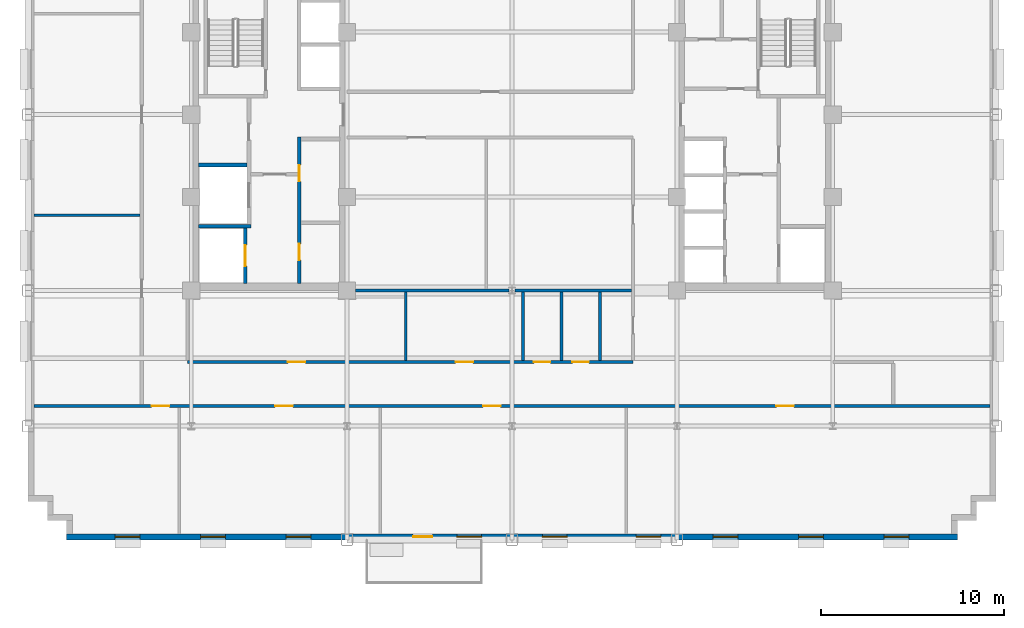
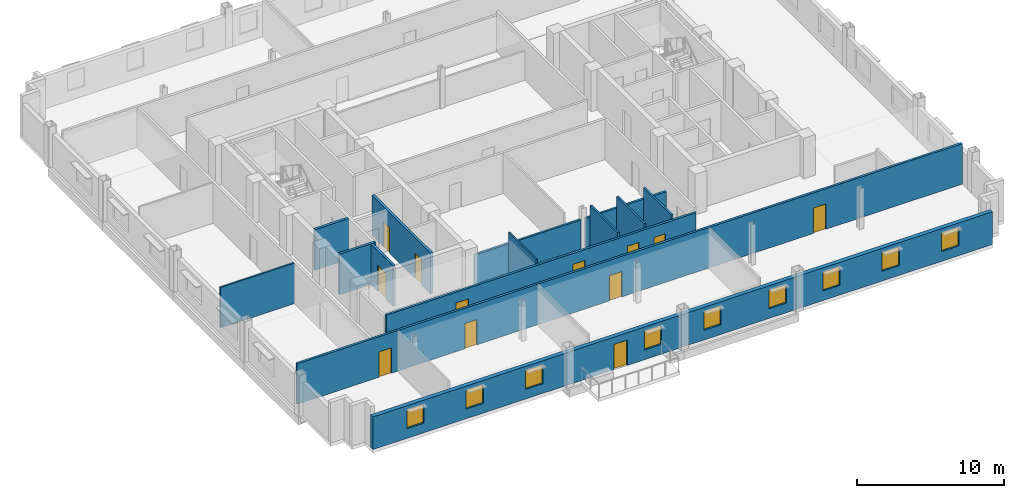
# One storey, part 6 of 13: 14 walls, 12 doors, 9 windows, 21 openings.
"""IFC4 building model written with IfcOpenShell, lengths in metres."""

from ifc_helpers import new_model, si_unit, direction, frame, frame_2d, origin, place, context, subcontext, project, spatial, rectangle, extrude, source, transform, mapped, material, layer, layer_set, type_object, type_shapes, element, fill, save


model = new_model("IFC4")

# Units and contexts
model_context = context("Model", 3, precision=1e-05, world=origin(), true_north=direction((0.0, 1.0)))
body_context = subcontext(model_context, "Body", "Model", "MODEL_VIEW")
ifc_project = project(units=[si_unit("LENGTHUNIT", "METRE"), si_unit("AREAUNIT", "SQUARE_METRE"), si_unit("VOLUMEUNIT", "CUBIC_METRE"), si_unit("PLANEANGLEUNIT", "RADIAN"), si_unit("MASSUNIT", "GRAM", prefix="KILO")], contexts=[model_context])

# Site, building, storey
site_placement = place(None, origin())
site = spatial("IfcSite", under=ifc_project, at=site_placement, CompositionType="ELEMENT")
building_placement = place(site_placement, origin())
building = spatial("IfcBuilding", under=site, at=building_placement, Name="Nuvemarco Arch Tower", CompositionType="ELEMENT")
storey_placement = place(building_placement, frame((0.0, 0.0, 149.39990234375)))
storey = spatial("IfcBuildingStorey", under=building, at=storey_placement, Name="L39", CompositionType="ELEMENT", Elevation=149.39990234375)

# Wall, openings, door, windows
ifc_material_1 = material(Name="Precast concrete C45/55", Category="concrete")
ifc_layer_1 = layer(ifc_material_1, 0.320068359375, Name="EW-MID-320")
ifc_layer_set_1 = layer_set([ifc_layer_1], Name="Precast concrete C45/55")
wall_type_1 = type_object("IfcWallType", Name="EW-MID-320", PredefinedType="STANDARD", material=ifc_layer_set_1)
wall_1_placement = place(storey_placement, frame((-24.300048828125, -23.0400390625, 0.0), z_axis=(0.0, 0.0, 1.0), x_axis=(1.0, 0.0, 0.0)))
wall_1 = element("IfcWall", 1, at=wall_1_placement, inside=storey, type_object=wall_type_1, Name="L39 exterior precast facade wall 1", PredefinedType="STANDARD", context=body_context, shape_type="SweptSolid", body=[
    extrude(rectangle(XDim=48.60009765625, YDim=0.320068359375, at=frame_2d((24.300048828125, 0.0))), origin(), (0.0, 0.0, 1.0), 2.705078125),
])
opening_1_placement = place(wall_1_placement, frame((19.949951171875, 0.0, 0.0), z_axis=(0.0, 0.0, 1.0), x_axis=(-1.0, 0.0, 0.0)))
opening_1 = element("IfcOpeningElement", 2, at=opening_1_placement, cuts=wall_1, Name="Opening ED-5", PredefinedType="OPENING", context=body_context, shape_type="SweptSolid", body=[
    extrude(rectangle(XDim=1.050048828125, YDim=2.10009765625, at=frame_2d((0.52490234375, 1.050048828125))), frame((0.0, 0.169921875, 0.0), z_axis=(0.0, -1.0, 0.0), x_axis=(1.0, 0.0, 0.0)), (0.0, 0.0, 1.0), 0.340087890625),
])
opening_2_placement = place(wall_1_placement, frame((2.655029296875, 0.0, 0.800048828125)))
opening_2 = element("IfcOpeningElement", 3, at=opening_2_placement, cuts=wall_1, Name="Opening WN-6", PredefinedType="OPENING", context=body_context, shape_type="SweptSolid", body=[
    extrude(rectangle(XDim=1.35009765625, YDim=1.56005859375, at=frame_2d((0.675048828125, 0.780029296875))), frame((0.0, 0.169921875, 0.0), z_axis=(0.0, -1.0, 0.0), x_axis=(1.0, 0.0, 0.0)), (0.0, 0.0, 1.0), 0.340087890625),
])
opening_3_placement = place(wall_1_placement, frame((7.31494140625, 0.0, 0.800048828125)))
opening_3 = element("IfcOpeningElement", 4, at=opening_3_placement, cuts=wall_1, Name="Opening WN-6", PredefinedType="OPENING", context=body_context, shape_type="SweptSolid", body=[
    extrude(rectangle(XDim=1.35009765625, YDim=1.56005859375, at=frame_2d((0.675048828125, 0.780029296875))), frame((0.0, 0.169921875, 0.0), z_axis=(0.0, -1.0, 0.0), x_axis=(1.0, 0.0, 0.0)), (0.0, 0.0, 1.0), 0.340087890625),
])
opening_4_placement = place(wall_1_placement, frame((11.97509765625, 0.0, 0.800048828125)))
opening_4 = element("IfcOpeningElement", 5, at=opening_4_placement, cuts=wall_1, Name="Opening WN-6", PredefinedType="OPENING", context=body_context, shape_type="SweptSolid", body=[
    extrude(rectangle(XDim=1.35009765625, YDim=1.56005859375, at=frame_2d((0.675048828125, 0.780029296875))), frame((0.0, 0.169921875, 0.0), z_axis=(0.0, -1.0, 0.0), x_axis=(1.0, 0.0, 0.0)), (0.0, 0.0, 1.0), 0.340087890625),
])
opening_5_placement = place(wall_1_placement, frame((21.294921875, 0.0, 0.800048828125)))
opening_5 = element("IfcOpeningElement", 6, at=opening_5_placement, cuts=wall_1, Name="Opening WN-6", PredefinedType="OPENING", context=body_context, shape_type="SweptSolid", body=[
    extrude(rectangle(XDim=1.35009765625, YDim=1.56005859375, at=frame_2d((0.675048828125, 0.780029296875))), frame((0.0, 0.169921875, 0.0), z_axis=(0.0, -1.0, 0.0), x_axis=(1.0, 0.0, 0.0)), (0.0, 0.0, 1.0), 0.340087890625),
])
opening_6_placement = place(wall_1_placement, frame((25.955078125, 0.0, 0.800048828125)))
opening_6 = element("IfcOpeningElement", 7, at=opening_6_placement, cuts=wall_1, Name="Opening WN-6", PredefinedType="OPENING", context=body_context, shape_type="SweptSolid", body=[
    extrude(rectangle(XDim=1.35009765625, YDim=1.56005859375, at=frame_2d((0.675048828125, 0.780029296875))), frame((0.0, 0.169921875, 0.0), z_axis=(0.0, -1.0, 0.0), x_axis=(1.0, 0.0, 0.0)), (0.0, 0.0, 1.0), 0.340087890625),
])
opening_7_placement = place(wall_1_placement, frame((31.06494140625, 0.0, 0.800048828125)))
opening_7 = element("IfcOpeningElement", 8, at=opening_7_placement, cuts=wall_1, Name="Opening WN-6", PredefinedType="OPENING", context=body_context, shape_type="SweptSolid", body=[
    extrude(rectangle(XDim=1.35009765625, YDim=1.56005859375, at=frame_2d((0.675048828125, 0.780029296875))), frame((0.0, 0.169921875, 0.0), z_axis=(0.0, -1.0, 0.0), x_axis=(1.0, 0.0, 0.0)), (0.0, 0.0, 1.0), 0.340087890625),
])
opening_8_placement = place(wall_1_placement, frame((35.27490234375, 0.0, 0.800048828125)))
opening_8 = element("IfcOpeningElement", 9, at=opening_8_placement, cuts=wall_1, Name="Opening WN-6", PredefinedType="OPENING", context=body_context, shape_type="SweptSolid", body=[
    extrude(rectangle(XDim=1.35009765625, YDim=1.56005859375, at=frame_2d((0.675048828125, 0.780029296875))), frame((0.0, 0.169921875, 0.0), z_axis=(0.0, -1.0, 0.0), x_axis=(1.0, 0.0, 0.0)), (0.0, 0.0, 1.0), 0.340087890625),
])
opening_9_placement = place(wall_1_placement, frame((39.93505859375, 0.0, 0.800048828125)))
opening_9 = element("IfcOpeningElement", 10, at=opening_9_placement, cuts=wall_1, Name="Opening WN-6", PredefinedType="OPENING", context=body_context, shape_type="SweptSolid", body=[
    extrude(rectangle(XDim=1.35009765625, YDim=1.56005859375, at=frame_2d((0.675048828125, 0.780029296875))), frame((0.0, 0.169921875, 0.0), z_axis=(0.0, -1.0, 0.0), x_axis=(1.0, 0.0, 0.0)), (0.0, 0.0, 1.0), 0.340087890625),
])
opening_10_placement = place(wall_1_placement, frame((44.594970703125, 0.0, 0.800048828125)))
opening_10 = element("IfcOpeningElement", 11, at=opening_10_placement, cuts=wall_1, Name="Opening WN-6", PredefinedType="OPENING", context=body_context, shape_type="SweptSolid", body=[
    extrude(rectangle(XDim=1.35009765625, YDim=1.56005859375, at=frame_2d((0.675048828125, 0.780029296875))), frame((0.0, 0.169921875, 0.0), z_axis=(0.0, -1.0, 0.0), x_axis=(1.0, 0.0, 0.0)), (0.0, 0.0, 1.0), 0.340087890625),
])
ifc_material_2 = material(Name="Anodised bronze and laminated glass", Category="glass")
door_type_1 = type_object("IfcDoorType", Name="DR-EXT-TERR", OperationType="NOTDEFINED", PredefinedType="DOOR", material=ifc_material_2)
shared_shape_1 = source(origin(), body_context, "Body", "SweptSolid", [
    extrude(rectangle(XDim=1.050048828125, YDim=2.10009765625, at=frame_2d((0.52490234375, 1.050048828125))), frame((0.0, 0.02490234375, 0.0), z_axis=(0.0, -1.0, 0.0), x_axis=(1.0, 0.0, 0.0)), (0.0, 0.0, 1.0), 0.050048828125),
])
type_shapes(door_type_1, [shared_shape_1])
door_1_placement = place(opening_1_placement, origin())
door_1 = element("IfcDoor", 12, at=door_1_placement, inside=storey, type_object=door_type_1, Name="L39 spiral terrace access door", OperationType="SINGLE_SWING_LEFT", OverallHeight=2.10009765625, OverallWidth=1.050048828125, PredefinedType="DOOR", context=body_context, shape_type="MappedRepresentation", body=[
    mapped(shared_shape_1, transform((0.0, 0.0, 0.0), scale=1.0)),
])
fill(opening_1, door_1)
ifc_material_3 = material(Name="Insulated solar-control glass", Category="glass")
window_type = type_object("IfcWindowType", Name="WN-MID-1350x1560", PartitioningType="SINGLE_PANEL", PredefinedType="WINDOW", material=ifc_material_3)
shared_shape_2 = source(origin(), body_context, "Body", "SweptSolid", [
    extrude(rectangle(XDim=1.35009765625, YDim=1.56005859375, at=frame_2d((0.675048828125, 0.780029296875))), frame((0.0, 0.030029296875, 0.0), z_axis=(0.0, -1.0, 0.0), x_axis=(1.0, 0.0, 0.0)), (0.0, 0.0, 1.0), 0.06005859375),
])
type_shapes(window_type, [shared_shape_2])
window_1_placement = place(opening_2_placement, origin())
window_1 = element("IfcWindow", 13, at=window_1_placement, inside=storey, type_object=window_type, Name="L39 punched facade window 1", OverallHeight=1.56005859375, OverallWidth=1.35009765625, PartitioningType="SINGLE_PANEL", PredefinedType="WINDOW", context=body_context, shape_type="MappedRepresentation", body=[
    mapped(shared_shape_2, transform((0.0, 0.0, 0.0), scale=1.0)),
])
fill(opening_2, window_1)
window_2_placement = place(opening_3_placement, origin())
window_2 = element("IfcWindow", 14, at=window_2_placement, inside=storey, type_object=window_type, Name="L39 punched facade window 2", OverallHeight=1.56005859375, OverallWidth=1.35009765625, PartitioningType="SINGLE_PANEL", PredefinedType="WINDOW", context=body_context, shape_type="MappedRepresentation", body=[
    mapped(shared_shape_2, transform((0.0, 0.0, 0.0), scale=1.0)),
])
fill(opening_3, window_2)
window_3_placement = place(opening_4_placement, origin())
window_3 = element("IfcWindow", 15, at=window_3_placement, inside=storey, type_object=window_type, Name="L39 punched facade window 3", OverallHeight=1.56005859375, OverallWidth=1.35009765625, PartitioningType="SINGLE_PANEL", PredefinedType="WINDOW", context=body_context, shape_type="MappedRepresentation", body=[
    mapped(shared_shape_2, transform((0.0, 0.0, 0.0), scale=1.0)),
])
fill(opening_4, window_3)
window_4_placement = place(opening_5_placement, origin())
window_4 = element("IfcWindow", 16, at=window_4_placement, inside=storey, type_object=window_type, Name="L39 punched facade window 5", OverallHeight=1.56005859375, OverallWidth=1.35009765625, PartitioningType="SINGLE_PANEL", PredefinedType="WINDOW", context=body_context, shape_type="MappedRepresentation", body=[
    mapped(shared_shape_2, transform((0.0, 0.0, 0.0), scale=1.0)),
])
fill(opening_5, window_4)
window_5_placement = place(opening_6_placement, origin())
window_5 = element("IfcWindow", 17, at=window_5_placement, inside=storey, type_object=window_type, Name="L39 punched facade window 6", OverallHeight=1.56005859375, OverallWidth=1.35009765625, PartitioningType="SINGLE_PANEL", PredefinedType="WINDOW", context=body_context, shape_type="MappedRepresentation", body=[
    mapped(shared_shape_2, transform((0.0, 0.0, 0.0), scale=1.0)),
])
fill(opening_6, window_5)
window_6_placement = place(opening_7_placement, origin())
window_6 = element("IfcWindow", 18, at=window_6_placement, inside=storey, type_object=window_type, Name="L39 punched facade window 7", OverallHeight=1.56005859375, OverallWidth=1.35009765625, PartitioningType="SINGLE_PANEL", PredefinedType="WINDOW", context=body_context, shape_type="MappedRepresentation", body=[
    mapped(shared_shape_2, transform((0.0, 0.0, 0.0), scale=1.0)),
])
fill(opening_7, window_6)
window_7_placement = place(opening_8_placement, origin())
window_7 = element("IfcWindow", 19, at=window_7_placement, inside=storey, type_object=window_type, Name="L39 punched facade window 8", OverallHeight=1.56005859375, OverallWidth=1.35009765625, PartitioningType="SINGLE_PANEL", PredefinedType="WINDOW", context=body_context, shape_type="MappedRepresentation", body=[
    mapped(shared_shape_2, transform((0.0, 0.0, 0.0), scale=1.0)),
])
fill(opening_8, window_7)
window_8_placement = place(opening_9_placement, origin())
window_8 = element("IfcWindow", 20, at=window_8_placement, inside=storey, type_object=window_type, Name="L39 punched facade window 9", OverallHeight=1.56005859375, OverallWidth=1.35009765625, PartitioningType="SINGLE_PANEL", PredefinedType="WINDOW", context=body_context, shape_type="MappedRepresentation", body=[
    mapped(shared_shape_2, transform((0.0, 0.0, 0.0), scale=1.0)),
])
fill(opening_9, window_8)
window_9_placement = place(opening_10_placement, origin())
window_9 = element("IfcWindow", 21, at=window_9_placement, inside=storey, type_object=window_type, Name="L39 punched facade window 10", OverallHeight=1.56005859375, OverallWidth=1.35009765625, PartitioningType="SINGLE_PANEL", PredefinedType="WINDOW", context=body_context, shape_type="MappedRepresentation", body=[
    mapped(shared_shape_2, transform((0.0, 0.0, 0.0), scale=1.0)),
])
fill(opening_10, window_9)

# Wall, openings, doors
ifc_material_4 = material(Name="Fire-rated gypsum drywall partition")
ifc_layer_2 = layer(ifc_material_4, 0.179931640625, Name="WL-CORR-180")
ifc_layer_set_2 = layer_set([ifc_layer_2], Name="Fire-rated gypsum drywall partition")
wall_type_2 = type_object("IfcWallType", Name="WL-CORR-180", PredefinedType="PARTITIONING", material=ifc_layer_set_2)
wall_2_placement = place(storey_placement, frame((-26.080078125, -15.89990234375, 0.0), z_axis=(0.0, 0.0, 1.0), x_axis=(1.0, 0.0, 0.0)))
wall_2 = element("IfcWall", 22, at=wall_2_placement, inside=storey, type_object=wall_type_2, Name="L39 interior wall IW-L39-001", PredefinedType="PARTITIONING", context=body_context, shape_type="SweptSolid", body=[
    extrude(rectangle(XDim=52.16015625, YDim=0.179931640625, at=frame_2d((26.080078125, 0.0))), origin(), (0.0, 0.0, 1.0), 3.360107421875),
])
opening_11_placement = place(wall_2_placement, frame((24.5, 0.0, 0.0)))
opening_11 = element("IfcOpeningElement", 23, at=opening_11_placement, cuts=wall_2, Name="Opening FD-5", PredefinedType="OPENING", context=body_context, shape_type="SweptSolid", body=[
    extrude(rectangle(XDim=0.9599609375, YDim=2.10009765625, at=frame_2d((0.47998046875, 1.050048828125))), frame((0.0, 0.099853515625, 0.0), z_axis=(0.0, -1.0, 0.0), x_axis=(1.0, 0.0, 0.0)), (0.0, 0.0, 1.0), 0.199951171875),
])
opening_12_placement = place(wall_2_placement, frame((40.5, 0.0, 0.0)))
opening_12 = element("IfcOpeningElement", 24, at=opening_12_placement, cuts=wall_2, Name="Opening FD-5", PredefinedType="OPENING", context=body_context, shape_type="SweptSolid", body=[
    extrude(rectangle(XDim=0.9599609375, YDim=2.10009765625, at=frame_2d((0.47998046875, 1.050048828125))), frame((0.0, 0.099853515625, 0.0), z_axis=(0.0, -1.0, 0.0), x_axis=(1.0, 0.0, 0.0)), (0.0, 0.0, 1.0), 0.199951171875),
])
opening_13_placement = place(wall_2_placement, frame((13.159912109375, 0.0, 0.0)))
opening_13 = element("IfcOpeningElement", 25, at=opening_13_placement, cuts=wall_2, Name="Opening FD-5", PredefinedType="OPENING", context=body_context, shape_type="SweptSolid", body=[
    extrude(rectangle(XDim=0.9599609375, YDim=2.10009765625, at=frame_2d((0.47998046875, 1.050048828125))), frame((0.0, 0.099853515625, 0.0), z_axis=(0.0, -1.0, 0.0), x_axis=(1.0, 0.0, 0.0)), (0.0, 0.0, 1.0), 0.199951171875),
])
opening_14_placement = place(wall_2_placement, frame((6.425048828125, 0.0, 0.0)))
opening_14 = element("IfcOpeningElement", 26, at=opening_14_placement, cuts=wall_2, Name="Opening FD-5", PredefinedType="OPENING", context=body_context, shape_type="SweptSolid", body=[
    extrude(rectangle(XDim=0.9599609375, YDim=2.10009765625, at=frame_2d((0.47998046875, 1.050048828125))), frame((0.0, 0.099853515625, 0.0), z_axis=(0.0, -1.0, 0.0), x_axis=(1.0, 0.0, 0.0)), (0.0, 0.0, 1.0), 0.199951171875),
])
ifc_material_5 = material(Name="Timber fire door", Category="wood")
door_type_2 = type_object("IfcDoorType", Name="DR-CORR-FD", OperationType="NOTDEFINED", PredefinedType="DOOR", material=ifc_material_5)
shared_shape_3 = source(origin(), body_context, "Body", "SweptSolid", [
    extrude(rectangle(XDim=0.9599609375, YDim=2.10009765625, at=frame_2d((0.47998046875, 1.050048828125))), frame((0.0, 0.02490234375, 0.0), z_axis=(0.0, -1.0, 0.0), x_axis=(1.0, 0.0, 0.0)), (0.0, 0.0, 1.0), 0.050048828125),
])
type_shapes(door_type_2, [shared_shape_3])
door_2_placement = place(opening_11_placement, origin())
door_2 = element("IfcDoor", 27, at=door_2_placement, inside=storey, type_object=door_type_2, Name="L39 door DR-L39-S_3", OperationType="SINGLE_SWING_RIGHT", OverallHeight=2.10009765625, OverallWidth=0.9599609375, PredefinedType="DOOR", context=body_context, shape_type="MappedRepresentation", body=[
    mapped(shared_shape_3, transform((0.0, 0.0, 0.0), scale=1.0)),
])
fill(opening_11, door_2)
door_3_placement = place(opening_12_placement, origin())
door_3 = element("IfcDoor", 28, at=door_3_placement, inside=storey, type_object=door_type_2, Name="L39 door DR-L39-S_4", OperationType="SINGLE_SWING_RIGHT", OverallHeight=2.10009765625, OverallWidth=0.9599609375, PredefinedType="DOOR", context=body_context, shape_type="MappedRepresentation", body=[
    mapped(shared_shape_3, transform((0.0, 0.0, 0.0), scale=1.0)),
])
fill(opening_12, door_3)
door_4_placement = place(opening_13_placement, origin())
door_4 = element("IfcDoor", 29, at=door_4_placement, inside=storey, type_object=door_type_2, Name="L39 door DR-L39-S_2", OperationType="SINGLE_SWING_LEFT", OverallHeight=2.10009765625, OverallWidth=0.9599609375, PredefinedType="DOOR", context=body_context, shape_type="MappedRepresentation", body=[
    mapped(shared_shape_3, transform((0.0, 0.0, 0.0), scale=1.0)),
])
fill(opening_13, door_4)
door_5_placement = place(opening_14_placement, origin())
door_5 = element("IfcDoor", 30, at=door_5_placement, inside=storey, type_object=door_type_2, Name="L39 door DR-L39-S_1", OperationType="SINGLE_SWING_LEFT", OverallHeight=2.10009765625, OverallWidth=0.9599609375, PredefinedType="DOOR", context=body_context, shape_type="MappedRepresentation", body=[
    mapped(shared_shape_3, transform((0.0, 0.0, 0.0), scale=1.0)),
])
fill(opening_14, door_5)

wall_3_placement = place(storey_placement, frame((-17.699951171875, -13.5, 0.0), z_axis=(0.0, 0.0, 1.0), x_axis=(1.0, 0.0, 0.0)))
wall_3 = element("IfcWall", 31, at=wall_3_placement, inside=storey, type_object=wall_type_2, Name="L39 interior wall IW-L39-002", PredefinedType="PARTITIONING", context=body_context, shape_type="SweptSolid", body=[
    extrude(rectangle(XDim=24.300048828125, YDim=0.179931640625, at=frame_2d((12.14990234375, 0.0))), origin(), (0.0, 0.0, 1.0), 2.998046875),
])
opening_15_placement = place(wall_3_placement, frame((5.469970703125, 0.0, 0.0)))
opening_15 = element("IfcOpeningElement", 32, at=opening_15_placement, cuts=wall_3, Name="Opening FD-5", PredefinedType="OPENING", context=body_context, shape_type="SweptSolid", body=[
    extrude(rectangle(XDim=0.9599609375, YDim=2.10009765625, at=frame_2d((0.47998046875, 1.050048828125))), frame((0.0, 0.099853515625, 0.0), z_axis=(0.0, -1.0, 0.0), x_axis=(1.0, 0.0, 0.0)), (0.0, 0.0, 1.0), 0.199951171875),
])
opening_16_placement = place(wall_3_placement, frame((14.6201171875, 0.0, 0.0)))
opening_16 = element("IfcOpeningElement", 33, at=opening_16_placement, cuts=wall_3, Name="Opening FD-5", PredefinedType="OPENING", context=body_context, shape_type="SweptSolid", body=[
    extrude(rectangle(XDim=0.9599609375, YDim=2.10009765625, at=frame_2d((0.47998046875, 1.050048828125))), frame((0.0, 0.099853515625, 0.0), z_axis=(0.0, -1.0, 0.0), x_axis=(1.0, 0.0, 0.0)), (0.0, 0.0, 1.0), 0.199951171875),
])
opening_17_placement = place(wall_3_placement, frame((18.89990234375, 0.0, 0.0)))
opening_17 = element("IfcOpeningElement", 34, at=opening_17_placement, cuts=wall_3, Name="Opening ID-3", PredefinedType="OPENING", context=body_context, shape_type="SweptSolid", body=[
    extrude(rectangle(XDim=0.89990234375, YDim=2.10009765625, at=frame_2d((0.449951171875, 1.050048828125))), frame((0.0, 0.099853515625, 0.0), z_axis=(0.0, -1.0, 0.0), x_axis=(1.0, 0.0, 0.0)), (0.0, 0.0, 1.0), 0.199951171875),
])
opening_18_placement = place(wall_3_placement, frame((21.0, 0.0, 0.0)))
opening_18 = element("IfcOpeningElement", 35, at=opening_18_placement, cuts=wall_3, Name="Opening ID-3", PredefinedType="OPENING", context=body_context, shape_type="SweptSolid", body=[
    extrude(rectangle(XDim=0.89990234375, YDim=2.10009765625, at=frame_2d((0.449951171875, 1.050048828125))), frame((0.0, 0.099853515625, 0.0), z_axis=(0.0, -1.0, 0.0), x_axis=(1.0, 0.0, 0.0)), (0.0, 0.0, 1.0), 0.199951171875),
])
door_6_placement = place(opening_15_placement, origin())
door_6 = element("IfcDoor", 36, at=door_6_placement, inside=storey, type_object=door_type_2, Name="L39 door DR-L39-IN_S1", OperationType="SINGLE_SWING_RIGHT", OverallHeight=2.10009765625, OverallWidth=0.9599609375, PredefinedType="DOOR", context=body_context, shape_type="MappedRepresentation", body=[
    mapped(shared_shape_3, transform((0.0, 0.0, 0.0), scale=1.0)),
])
fill(opening_15, door_6)
door_7_placement = place(opening_16_placement, origin())
door_7 = element("IfcDoor", 37, at=door_7_placement, inside=storey, type_object=door_type_2, Name="L39 door DR-L39-IN_S2", OperationType="SINGLE_SWING_RIGHT", OverallHeight=2.10009765625, OverallWidth=0.9599609375, PredefinedType="DOOR", context=body_context, shape_type="MappedRepresentation", body=[
    mapped(shared_shape_3, transform((0.0, 0.0, 0.0), scale=1.0)),
])
fill(opening_16, door_7)
ifc_material_6 = material(Name="Veneered oak timber fire door", Category="wood")
door_type_3 = type_object("IfcDoorType", Name="DR-WC-ACC", OperationType="NOTDEFINED", PredefinedType="DOOR", material=ifc_material_6)
shared_shape_4 = source(origin(), body_context, "Body", "SweptSolid", [
    extrude(rectangle(XDim=0.89990234375, YDim=2.10009765625, at=frame_2d((0.449951171875, 1.050048828125))), frame((0.0, 0.02490234375, 0.0), z_axis=(0.0, -1.0, 0.0), x_axis=(1.0, 0.0, 0.0)), (0.0, 0.0, 1.0), 0.050048828125),
])
type_shapes(door_type_3, [shared_shape_4])
door_8_placement = place(opening_17_placement, origin())
door_8 = element("IfcDoor", 38, at=door_8_placement, inside=storey, type_object=door_type_3, Name="L39 door DR-L39-WC_M", OperationType="SINGLE_SWING_LEFT", OverallHeight=2.10009765625, OverallWidth=0.89990234375, PredefinedType="DOOR", context=body_context, shape_type="MappedRepresentation", body=[
    mapped(shared_shape_4, transform((0.0, 0.0, 0.0), scale=1.0)),
])
fill(opening_17, door_8)
door_9_placement = place(opening_18_placement, origin())
door_9 = element("IfcDoor", 39, at=door_9_placement, inside=storey, type_object=door_type_3, Name="L39 door DR-L39-WC_F", OperationType="SINGLE_SWING_RIGHT", OverallHeight=2.10009765625, OverallWidth=0.89990234375, PredefinedType="DOOR", context=body_context, shape_type="MappedRepresentation", body=[
    mapped(shared_shape_4, transform((0.0, 0.0, 0.0), scale=1.0)),
])
fill(opening_18, door_9)

# Walls
ifc_material_7 = material(Name="Glazed acoustic office partition")
ifc_layer_3 = layer(ifc_material_7, 0.1298828125, Name="WL-EXEC-130")
ifc_layer_set_3 = layer_set([ifc_layer_3], Name="Glazed acoustic office partition")
wall_type_3 = type_object("IfcWallType", Name="WL-EXEC-130", PredefinedType="PARTITIONING", material=ifc_layer_set_3)
wall_4_placement = place(storey_placement, frame((-26.080078125, -5.5, 0.0), z_axis=(0.0, 0.0, 1.0), x_axis=(1.0, 0.0, 0.0)))
element("IfcWall", 40, at=wall_4_placement, inside=storey, type_object=wall_type_3, Name="L39 interior wall IW-L39-006", PredefinedType="PARTITIONING", context=body_context, shape_type="SweptSolid", body=[
    extrude(rectangle(XDim=5.794189453125, YDim=0.1298828125, at=frame_2d((2.89697265625, 0.0))), origin(), (0.0, 0.0, 1.0), 3.360107421875),
])
wall_5_placement = place(storey_placement, frame((-5.800048828125, -13.4140625, 0.0), z_axis=(0.0, 0.0, 1.0), x_axis=(0.0, 1.0, 0.0)))
element("IfcWall", 41, at=wall_5_placement, inside=storey, type_object=wall_type_3, Name="L39 interior wall IW-L39-021", PredefinedType="PARTITIONING", context=body_context, shape_type="SweptSolid", body=[
    extrude(rectangle(XDim=3.738037109375, YDim=0.1298828125, at=frame_2d((1.869140625, 0.0))), origin(), (0.0, 0.0, 1.0), 3.360107421875),
])

# Wall, opening, door
ifc_material_8 = material(Name="Concrete C50/60", Category="concrete")
ifc_layer_4 = layer(ifc_material_8, 0.199951171875, Name="WL-SHAFT-220")
ifc_layer_set_4 = layer_set([ifc_layer_4], Name="Concrete C50/60")
wall_type_4 = type_object("IfcWallType", Name="WL-SHAFT-220", PredefinedType="SHEAR", material=ifc_layer_set_4)
wall_6_placement = place(storey_placement, frame((-14.550048828125, -9.205078125, 0.0), z_axis=(0.0, 0.0, 1.0), x_axis=(0.0, 1.0, 0.0)))
wall_6 = element("IfcWall", 42, at=wall_6_placement, inside=storey, type_object=wall_type_4, Name="L39 structural shaft wall SW-L39-W-SHE", PredefinedType="SHEAR", context=body_context, shape_type="SweptSolid", body=[
    extrude(rectangle(XDim=3.010009765625, YDim=0.199951171875, at=frame_2d((1.5048828125, 0.0))), origin(), (0.0, 0.0, 1.0), 3.3701171875),
])
opening_19_placement = place(wall_6_placement, frame((0.929931640625, 0.0, 0.0)))
opening_19 = element("IfcOpeningElement", 43, at=opening_19_placement, cuts=wall_6, Name="Opening LD-2", PredefinedType="OPENING", context=body_context, shape_type="SweptSolid", body=[
    extrude(rectangle(XDim=1.14990234375, YDim=2.14990234375, at=frame_2d((0.574951171875, 1.074951171875))), frame((0.0, 0.10986328125, 0.0), z_axis=(0.0, -1.0, 0.0), x_axis=(1.0, 0.0, 0.0)), (0.0, 0.0, 1.0), 0.219970703125),
])
ifc_material_9 = material(Name="Stainless steel lift door", Category="steel")
door_type_4 = type_object("IfcDoorType", Name="DR-LIFT-FIRE", OperationType="DOUBLE_DOOR_SLIDING", PredefinedType="DOOR", material=ifc_material_9)
shared_shape_5 = source(origin(), body_context, "Body", "SweptSolid", [
    extrude(rectangle(XDim=1.14990234375, YDim=2.14990234375, at=frame_2d((0.574951171875, 1.074951171875))), frame((0.0, 0.02490234375, 0.0), z_axis=(0.0, -1.0, 0.0), x_axis=(1.0, 0.0, 0.0)), (0.0, 0.0, 1.0), 0.050048828125),
])
type_shapes(door_type_4, [shared_shape_5])
door_10_placement = place(opening_19_placement, origin())
door_10 = element("IfcDoor", 44, at=door_10_placement, inside=storey, type_object=door_type_4, Name="L39 Lift landing sliding door FFL-1", OperationType="DOUBLE_DOOR_SLIDING", OverallHeight=2.14990234375, OverallWidth=1.14990234375, PredefinedType="DOOR", context=body_context, shape_type="MappedRepresentation", body=[
    mapped(shared_shape_5, transform((0.0, 0.0, 0.0), scale=1.0)),
])
fill(opening_19, door_10)

# Walls
wall_7_placement = place(storey_placement, frame((-17.10498046875, -6.10009765625, 0.0), z_axis=(0.0, 0.0, 1.0), x_axis=(1.0, 0.0, 0.0)))
element("IfcWall", 45, at=wall_7_placement, inside=storey, type_object=wall_type_4, Name="L39 structural shaft wall SW-L39-W-SH1", PredefinedType="SHEAR", context=body_context, shape_type="SweptSolid", body=[
    extrude(rectangle(XDim=2.85498046875, YDim=0.199951171875, at=frame_2d((1.427490234375, 0.0))), origin(), (0.0, 0.0, 1.0), 3.3701171875),
])
wall_8_placement = place(storey_placement, frame((-17.10498046875, -2.75, 0.0), z_axis=(0.0, 0.0, 1.0), x_axis=(1.0, 0.0, 0.0)))
element("IfcWall", 46, at=wall_8_placement, inside=storey, type_object=wall_type_4, Name="L39 structural shaft wall SW-L39-W-SH2", PredefinedType="SHEAR", context=body_context, shape_type="SweptSolid", body=[
    extrude(rectangle(XDim=2.659912109375, YDim=0.199951171875, at=frame_2d((1.330078125, 0.0))), origin(), (0.0, 0.0, 1.0), 3.3701171875),
])

# Wall, openings, doors
wall_9_placement = place(storey_placement, frame((-11.60009765625, -9.205078125, 0.0), z_axis=(0.0, 0.0, 1.0), x_axis=(0.0, 1.0, 0.0)))
wall_9 = element("IfcWall", 47, at=wall_9_placement, inside=storey, type_object=wall_type_4, Name="L39 structural shaft wall SW-L39-W-PLW", PredefinedType="SHEAR", context=body_context, shape_type="SweptSolid", body=[
    extrude(rectangle(XDim=7.97509765625, YDim=0.199951171875, at=frame_2d((3.987548828125, 0.0))), origin(), (0.0, 0.0, 1.0), 3.3701171875),
])
opening_20_placement = place(wall_9_placement, frame((1.264892578125, 0.0, 0.0)))
opening_20 = element("IfcOpeningElement", 48, at=opening_20_placement, cuts=wall_9, Name="Opening FD-4", PredefinedType="OPENING", context=body_context, shape_type="SweptSolid", body=[
    extrude(rectangle(XDim=0.8798828125, YDim=2.10009765625, at=frame_2d((0.43994140625, 1.050048828125))), frame((0.0, 0.10986328125, 0.0), z_axis=(0.0, -1.0, 0.0), x_axis=(1.0, 0.0, 0.0)), (0.0, 0.0, 1.0), 0.219970703125),
])
opening_21_placement = place(wall_9_placement, frame((5.56494140625, 0.0, 0.0)))
opening_21 = element("IfcOpeningElement", 49, at=opening_21_placement, cuts=wall_9, Name="Opening FD-4", PredefinedType="OPENING", context=body_context, shape_type="SweptSolid", body=[
    extrude(rectangle(XDim=0.8798828125, YDim=2.10009765625, at=frame_2d((0.43994140625, 1.050048828125))), frame((0.0, 0.10986328125, 0.0), z_axis=(0.0, -1.0, 0.0), x_axis=(1.0, 0.0, 0.0)), (0.0, 0.0, 1.0), 0.219970703125),
])
ifc_material_10 = material(Name="Anodised steel fire door", Category="steel")
door_type_5 = type_object("IfcDoorType", Name="DR-RISER-FD", OperationType="NOTDEFINED", PredefinedType="DOOR", material=ifc_material_10)
shared_shape_6 = source(origin(), body_context, "Body", "SweptSolid", [
    extrude(rectangle(XDim=0.8798828125, YDim=2.10009765625, at=frame_2d((0.43994140625, 1.050048828125))), frame((0.0, 0.02490234375, 0.0), z_axis=(0.0, -1.0, 0.0), x_axis=(1.0, 0.0, 0.0)), (0.0, 0.0, 1.0), 0.050048828125),
])
type_shapes(door_type_5, [shared_shape_6])
door_11_placement = place(opening_20_placement, origin())
door_11 = element("IfcDoor", 50, at=door_11_placement, inside=storey, type_object=door_type_5, Name="L39 door FD-L39-WREC1", OperationType="SINGLE_SWING_LEFT", OverallHeight=2.10009765625, OverallWidth=0.8798828125, PredefinedType="DOOR", context=body_context, shape_type="MappedRepresentation", body=[
    mapped(shared_shape_6, transform((0.0, 0.0, 0.0), scale=1.0)),
])
fill(opening_20, door_11)
door_12_placement = place(opening_21_placement, origin())
door_12 = element("IfcDoor", 51, at=door_12_placement, inside=storey, type_object=door_type_5, Name="L39 door FD-L39-WREC2", OperationType="SINGLE_SWING_RIGHT", OverallHeight=2.10009765625, OverallWidth=0.8798828125, PredefinedType="DOOR", context=body_context, shape_type="MappedRepresentation", body=[
    mapped(shared_shape_6, transform((0.0, 0.0, 0.0), scale=1.0)),
])
fill(opening_21, door_12)

# Walls
ifc_material_11 = material(Name="Acoustic gypsum drywall partition")
ifc_layer_5 = layer(ifc_material_11, 0.159912109375, Name="WL-TENANT-160")
ifc_layer_set_5 = layer_set([ifc_layer_5], Name="Acoustic gypsum drywall partition")
wall_type_5 = type_object("IfcWallType", Name="WL-TENANT-160", PredefinedType="PARTITIONING", material=ifc_layer_set_5)
wall_10_placement = place(storey_placement, frame((-8.529052734375, -9.60009765625, 0.0), z_axis=(0.0, 0.0, 1.0), x_axis=(1.0, 0.0, 0.0)))
element("IfcWall", 52, at=wall_10_placement, inside=storey, type_object=wall_type_5, Name="L39 interior wall IW-L39-004", PredefinedType="PARTITIONING", context=body_context, shape_type="SweptSolid", body=[
    extrude(rectangle(XDim=8.35302734375, YDim=0.159912109375, at=frame_2d((4.176513671875, 0.0))), origin(), (0.0, 0.0, 1.0), 2.405029296875),
])
wall_11_placement = place(storey_placement, frame((0.176025390625, -9.60009765625, 0.0), z_axis=(0.0, 0.0, 1.0), x_axis=(1.0, 0.0, 0.0)))
element("IfcWall", 53, at=wall_11_placement, inside=storey, type_object=wall_type_5, Name="L39 interior wall IW-L39-005", PredefinedType="PARTITIONING", context=body_context, shape_type="SweptSolid", body=[
    extrude(rectangle(XDim=6.337890625, YDim=0.159912109375, at=frame_2d((3.1689453125, 0.0))), origin(), (0.0, 0.0, 1.0), 2.405029296875),
])
ifc_material_12 = material(Name="Moisture-resistant gypsum partition")
ifc_layer_6 = layer(ifc_material_12, 0.14990234375, Name="WL-WET-150")
ifc_layer_set_6 = layer_set([ifc_layer_6], Name="Moisture-resistant gypsum partition")
wall_type_6 = type_object("IfcWallType", Name="WL-WET-150", PredefinedType="PARTITIONING", material=ifc_layer_set_6)
for number, where, z_axis, x_axis, name in (
    (54, (0.60009765625, -13.4140625, 0.0), (0.0, 0.0, 1.0), (0.0, 1.0, 0.0), "L39 interior wall IW-L39-023"),
    (55, (2.699951171875, -13.4140625, 0.0), (0.0, 0.0, 1.0), (0.0, 1.0, 0.0), "L39 interior wall IW-L39-024"),
    (56, (4.800048828125, -13.4140625, 0.0), (0.0, 0.0, 1.0), (0.0, 1.0, 0.0), "L39 interior wall IW-L39-025"),
):
    element("IfcWall", number, at=place(storey_placement, frame(where, z_axis=z_axis, x_axis=x_axis)), inside=storey, type_object=wall_type_6, Name=name, PredefinedType="PARTITIONING", context=body_context, shape_type="SweptSolid", body=[
        extrude(rectangle(XDim=3.738037109375, YDim=0.14990234375, at=frame_2d((1.869140625, 0.0))), origin(), (0.0, 0.0, 1.0), 3.360107421875),
    ])

save(model, "model.ifc")
